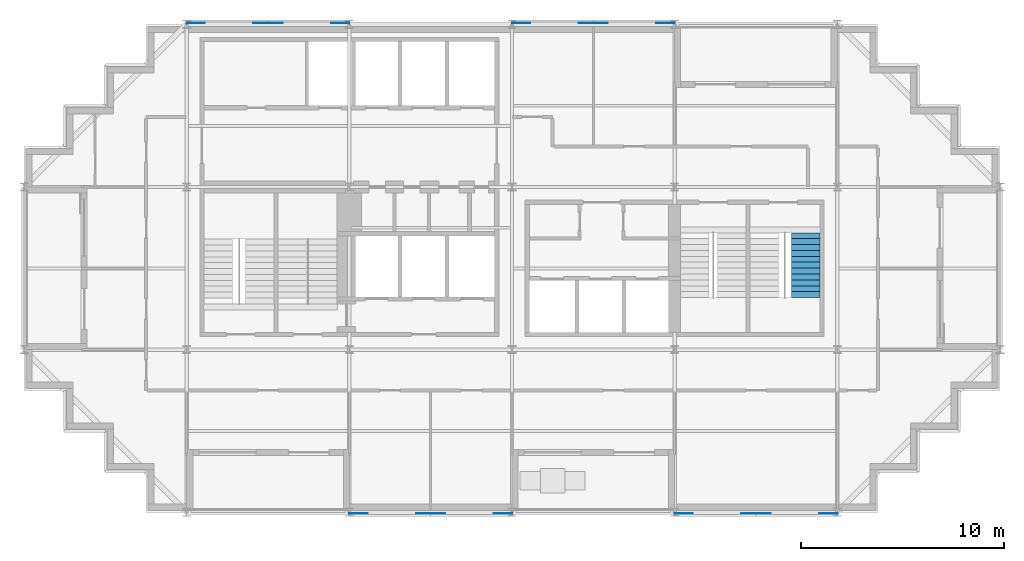
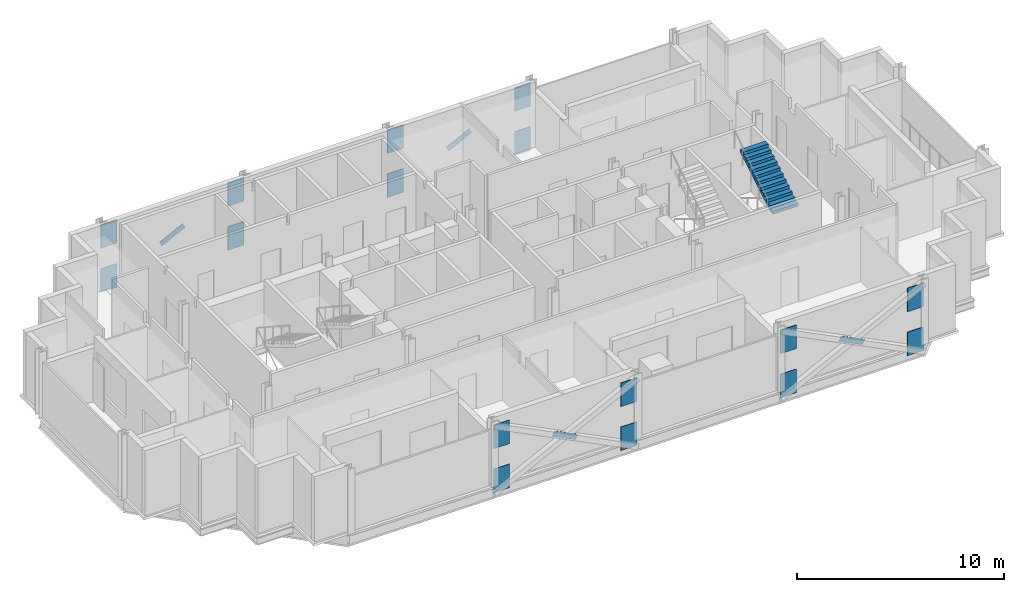
# One storey, part 8 of 10: 20 discrete accessories, 1 stair flight, 1 element without a shape of its own.
"""IFC4 building model written with IfcOpenShell, lengths in metres."""

from ifc_helpers import new_model, si_unit, direction, frame, origin, origin_2d, place, context, subcontext, project, spatial, polyline, rectangle, outline, extrude, material, material_profile, profile_set, type_object, element, aggregate, save


model = new_model("IFC4")

# Units and contexts
model_context = context("Model", 3, precision=1e-05, world=origin(), true_north=direction((0.0, 1.0)))
body_context = subcontext(model_context, "Body", "Model", "MODEL_VIEW")
ifc_project = project(units=[si_unit("LENGTHUNIT", "METRE"), si_unit("AREAUNIT", "SQUARE_METRE"), si_unit("VOLUMEUNIT", "CUBIC_METRE"), si_unit("PLANEANGLEUNIT", "RADIAN"), si_unit("MASSUNIT", "GRAM", prefix="KILO")], contexts=[model_context])

# Site, building, storey
site_placement = place(None, origin())
site = spatial("IfcSite", under=ifc_project, at=site_placement, CompositionType="ELEMENT")
building_placement = place(site_placement, origin())
building = spatial("IfcBuilding", under=site, at=building_placement, Name="Immortelle Media Tower", CompositionType="ELEMENT")
storey_placement = place(building_placement, frame((0.0, 0.0, 221.0)))
storey = spatial("IfcBuildingStorey", under=building, at=storey_placement, Name="L47", CompositionType="ELEMENT", Elevation=221.0)

# Stair, stair flight
ifc_material_1 = material(Name="Steel ASTM A992 Gr 50", Category="steel")
stair_type = type_object("IfcStairType", Name="Stair with flights", PredefinedType="DOUBLE_RETURN_STAIR", material=ifc_material_1)
stair_placement = place(storey_placement, origin())
stair = element("IfcStair", 1, at=stair_placement, inside=storey, type_object=stair_type, Name="Exit stair SE2", PredefinedType="DOUBLE_RETURN_STAIR")
stair_flight_type = type_object("IfcStairFlightType", Name="Stair flight 1400", PredefinedType="STRAIGHT", material=ifc_material_1)
stair_flight_placement = place(storey_placement, frame((38.449951171875, 10.56005859375, 1.9130859375), z_axis=(0.0, 0.0, 1.0), x_axis=(0.0, 1.0, 0.0)))
stair_flight = element("IfcStairFlight", 2, at=stair_flight_placement, type_object=stair_flight_type, Name="ST SE2 flight 2", NumberOfRisers=12, NumberOfTreads=11, PredefinedType="STRAIGHT", RiserHeight=0.173913043, TreadLength=0.29, context=body_context, shape_type="SweptSolid", body=[
    extrude(outline(polyline([(0.0, 0.0), (0.0, 0.173828125), (0.2900390625, 0.173828125), (0.2900390625, 0.347900390625), (0.580078125, 0.347900390625), (0.580078125, 0.521728515625), (0.8701171875, 0.521728515625), (0.8701171875, 0.695556640625), (1.159912109375, 0.695556640625), (1.159912109375, 0.86962890625), (1.449951171875, 0.86962890625), (1.449951171875, 1.04345703125), (1.739990234375, 1.04345703125), (1.739990234375, 1.21728515625), (2.030029296875, 1.21728515625), (2.030029296875, 1.391357421875), (2.320068359375, 1.391357421875), (2.320068359375, 1.565185546875), (2.610107421875, 1.565185546875), (2.610107421875, 1.739013671875), (2.89990234375, 1.739013671875), (2.89990234375, 1.9130859375), (3.18994140625, 1.9130859375), (3.18994140625, 2.0869140625), (3.18994140625, 1.73828125), (0.29150390625, 0.0), (0.0, 0.0)])), frame((0.0, 0.699951171875, 0.0), z_axis=(0.0, -1.0, 0.0), x_axis=(1.0, 0.0, 0.0)), (0.0, 0.0, 1.0), 1.39990234375),
])
aggregate(stair, [stair_flight])

# Discrete accessories
ifc_material_2 = material(Name="Steel ASTM A572 Gr 50", Category="steel")
ifc_material_profile_1 = material_profile(ifc_material_2, rectangle(XDim=0.02392578125, YDim=0.304931640625, at=origin_2d()), Name="PL 24 x 305")
ifc_profile_set_1 = profile_set([ifc_material_profile_1], Name="Steel ASTM A572 Gr 50")
discrete_accessory_type_1 = type_object("IfcDiscreteAccessoryType", Name="Crossing plate XP-BR6 1450 x 305 x 24", PredefinedType="USERDEFINED", material=ifc_profile_set_1)
for number, where, z_axis, x_axis, name in (
    (3, (28.6484375, 24.0625, 1.8681640625), (-0.894427191, 0.0, -0.4472135955), (0.0, -1.0, 0.0), "Crossing plate XP-BR6 of Brace D/4-5 A and Brace D/4-5 B"),
    (4, (12.6484375, 24.0625, 1.8681640625), (-0.894427191, 0.0, -0.4472135955), (0.0, -1.0, 0.0), "Crossing plate XP-BR6 of Brace D/2-3 A and Brace D/2-3 B"),
    (5, (19.3515625, -0.0625, 1.8681640625), (0.894427191, 0.0, -0.4472135955), (0.0, 1.0, 0.0), "Crossing plate XP-BR6 of Brace A/3-4 A and Brace A/3-4 B"),
    (6, (35.3515625, -0.0625, 1.8681640625), (0.894427191, 0.0, -0.4472135955), (0.0, 1.0, 0.0), "Crossing plate XP-BR6 of Brace A/5-6 A and Brace A/5-6 B"),
):
    element("IfcDiscreteAccessory", number, at=place(storey_placement, frame(where, z_axis=z_axis, x_axis=x_axis)), inside=storey, type_object=discrete_accessory_type_1, Name=name, ObjectType="CROSSING PLATE", PredefinedType="USERDEFINED", context=body_context, shape_type="SweptSolid", body=[
        extrude(rectangle(XDim=0.02392578125, YDim=0.304931640625, at=origin_2d()), origin(), (0.0, 0.0, 1.0), 1.449951171875),
    ])
ifc_material_profile_2 = material_profile(ifc_material_2, rectangle(XDim=0.031982421875, YDim=1.39990234375, at=origin_2d()), Name="PL 32 x 1400")
ifc_profile_set_2 = profile_set([ifc_material_profile_2], Name="Steel ASTM A572 Gr 50")
discrete_accessory_type_2 = type_object("IfcDiscreteAccessoryType", Name="Gusset plate GP1 900 x 1400 x 32", PredefinedType="USERDEFINED", material=ifc_profile_set_2)
for number, where, z_axis, x_axis, name in (
    (7, (16.0, -0.0625, 0.243896484375), (1.0, 0.0, 0.0), (0.0, 1.0, 0.0), "Gusset plate GP1, lower end of Brace A/3-4 A"),
    (8, (24.0, -0.0625, 2.843994140625), (-1.0, 0.0, 0.0), (0.0, -1.0, 0.0), "Gusset plate GP1, upper end of Brace A/3-4 A"),
    (9, (24.0, -0.0625, 0.243896484375), (-1.0, 0.0, 0.0), (0.0, -1.0, 0.0), "Gusset plate GP1, lower end of Brace A/3-4 B"),
    (10, (16.0, -0.0625, 2.843994140625), (1.0, 0.0, 0.0), (0.0, 1.0, 0.0), "Gusset plate GP1, upper end of Brace A/3-4 B"),
    (11, (32.0, -0.0625, 0.243896484375), (1.0, 0.0, 0.0), (0.0, 1.0, 0.0), "Gusset plate GP1, lower end of Brace A/5-6 A"),
    (12, (40.0, -0.0625, 2.843994140625), (-1.0, 0.0, 0.0), (0.0, -1.0, 0.0), "Gusset plate GP1, upper end of Brace A/5-6 A"),
    (13, (40.0, -0.0625, 0.243896484375), (-1.0, 0.0, 0.0), (0.0, -1.0, 0.0), "Gusset plate GP1, lower end of Brace A/5-6 B"),
    (14, (32.0, -0.0625, 2.843994140625), (1.0, 0.0, 0.0), (0.0, 1.0, 0.0), "Gusset plate GP1, upper end of Brace A/5-6 B"),
    (15, (32.0, 24.0625, 0.243896484375), (-1.0, 0.0, 0.0), (0.0, -1.0, 0.0), "Gusset plate GP1, lower end of Brace D/4-5 A"),
    (16, (24.0, 24.0625, 2.843994140625), (1.0, 0.0, 0.0), (0.0, 1.0, 0.0), "Gusset plate GP1, upper end of Brace D/4-5 A"),
    (17, (24.0, 24.0625, 0.243896484375), (1.0, 0.0, 0.0), (0.0, 1.0, 0.0), "Gusset plate GP1, lower end of Brace D/4-5 B"),
    (18, (32.0, 24.0625, 2.843994140625), (-1.0, 0.0, 0.0), (0.0, -1.0, 0.0), "Gusset plate GP1, upper end of Brace D/4-5 B"),
    (19, (16.0, 24.0625, 0.243896484375), (-1.0, 0.0, 0.0), (0.0, -1.0, 0.0), "Gusset plate GP1, lower end of Brace D/2-3 A"),
    (20, (8.0, 24.0625, 2.843994140625), (1.0, 0.0, 0.0), (0.0, 1.0, 0.0), "Gusset plate GP1, upper end of Brace D/2-3 A"),
    (21, (8.0, 24.0625, 0.243896484375), (1.0, 0.0, 0.0), (0.0, 1.0, 0.0), "Gusset plate GP1, lower end of Brace D/2-3 B"),
    (22, (16.0, 24.0625, 2.843994140625), (-1.0, 0.0, 0.0), (0.0, -1.0, 0.0), "Gusset plate GP1, upper end of Brace D/2-3 B"),
):
    element("IfcDiscreteAccessory", number, at=place(storey_placement, frame(where, z_axis=z_axis, x_axis=x_axis)), inside=storey, type_object=discrete_accessory_type_2, Name=name, ObjectType="GUSSET PLATE", PredefinedType="USERDEFINED", context=body_context, shape_type="SweptSolid", body=[
        extrude(rectangle(XDim=0.031982421875, YDim=1.39990234375, at=origin_2d()), origin(), (0.0, 0.0, 1.0), 0.89990234375),
    ])

save(model, "model.ifc")
